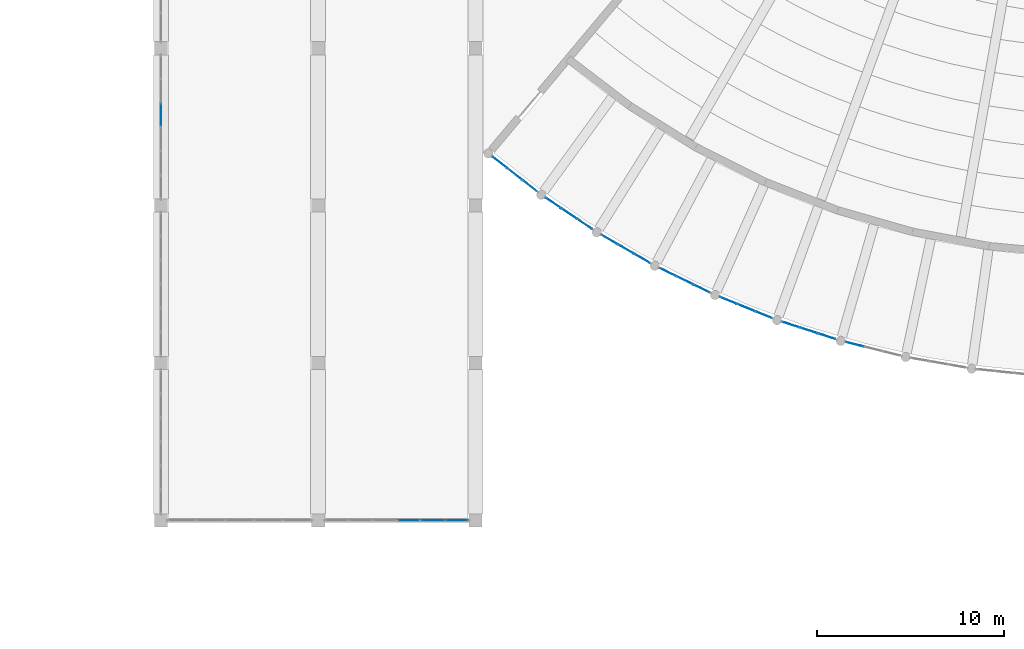
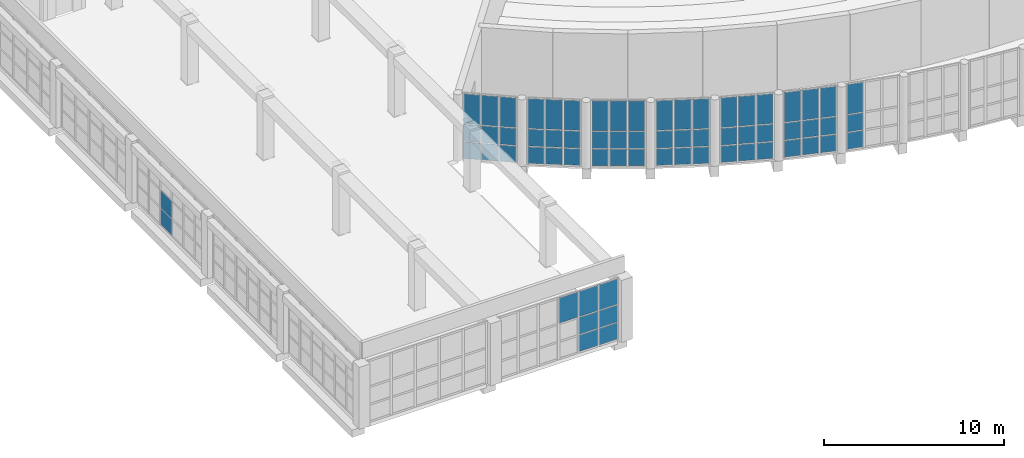
# One storey, part 68 of 162: 66 plates, 9 elements without a shape of their own.
"""IFC4 building model written with IfcOpenShell, lengths in metres."""

from ifc_helpers import new_model, si_unit, direction, frame, origin, origin_2d, place, context, subcontext, project, spatial, rectangle, extrude, material, layer, layer_set, type_object, element, aggregate, save


model = new_model("IFC4")

# Units and contexts
model_context = context("Model", 3, precision=1e-05, world=origin(), true_north=direction((0.0, 1.0)))
body_context = subcontext(model_context, "Body", "Model", "MODEL_VIEW")
ifc_project = project(units=[si_unit("LENGTHUNIT", "METRE"), si_unit("AREAUNIT", "SQUARE_METRE"), si_unit("VOLUMEUNIT", "CUBIC_METRE"), si_unit("PLANEANGLEUNIT", "RADIAN"), si_unit("MASSUNIT", "GRAM", prefix="KILO")], contexts=[model_context])

# Site, building, storey
site_placement = place(None, origin())
site = spatial("IfcSite", under=ifc_project, at=site_placement, CompositionType="ELEMENT")
building_placement = place(site_placement, origin())
building = spatial("IfcBuilding", under=site, at=building_placement, Name="Rain Tree Exposition and Congress Centre", CompositionType="ELEMENT")
storey_placement = place(building_placement, frame((0.0, 0.0, 6.0)))
storey = spatial("IfcBuildingStorey", under=building, at=storey_placement, Name="L01", CompositionType="ELEMENT", Elevation=6.0)

# Curtain wall, plates
ifc_material_1 = material(Name="Aluminium", Category="aluminium")
ifc_layer_1 = layer(ifc_material_1, 0.10009765625)
ifc_layer_set_1 = layer_set([ifc_layer_1], Name="Aluminium")
curtain_wall_type = type_object("IfcCurtainWallType", Name="Curtain wall congress", PredefinedType="NOTDEFINED", material=ifc_layer_set_1)
curtain_wall_1_placement = place(storey_placement, origin())
curtain_wall_1 = element("IfcCurtainWall", 1, at=curtain_wall_1_placement, inside=storey, type_object=curtain_wall_type, Name="Curtain wall L01 bay 1", PredefinedType="NOTDEFINED")
ifc_material_2 = material(Name="Double glazed unit", Category="glass")
ifc_layer_2 = layer(ifc_material_2, 0.028076171875)
ifc_layer_set_2 = layer_set([ifc_layer_2], Name="Double glazed unit")
plate_type = type_object("IfcPlateType", Name="Glazing panel 28 congress", PredefinedType="CURTAIN_PANEL", material=ifc_layer_set_2)
plate_1_placement = place(storey_placement, frame((169.3017578125, 27.5, 0.06005859375), z_axis=(0.0, 0.0, 1.0), x_axis=(0.788003164084, -0.615671189348, 0.0)))
plate_1 = element("IfcPlate", 2, at=plate_1_placement, type_object=plate_type, Name="CWG201 panel 1.1", PredefinedType="CURTAIN_PANEL", context=body_context, shape_type="SweptSolid", body=[
    extrude(rectangle(XDim=0.9345703125, YDim=0.028076171875, at=origin_2d()), origin(), (0.0, 0.0, 1.0), 1.110107421875),
])
plate_2_placement = place(storey_placement, frame((169.3017578125, 27.5, 1.22998046875), z_axis=(0.0, 0.0, 1.0), x_axis=(0.788003164084, -0.615671189348, 0.0)))
plate_2 = element("IfcPlate", 3, at=plate_2_placement, type_object=plate_type, Name="CWG201 panel 1.2", PredefinedType="CURTAIN_PANEL", context=body_context, shape_type="SweptSolid", body=[
    extrude(rectangle(XDim=0.9345703125, YDim=0.028076171875, at=origin_2d()), origin(), (0.0, 0.0, 1.0), 1.139892578125),
])
plate_3_placement = place(storey_placement, frame((169.3017578125, 27.5, 2.43017578125), z_axis=(0.0, 0.0, 1.0), x_axis=(0.788003164084, -0.615671189348, 0.0)))
plate_3 = element("IfcPlate", 4, at=plate_3_placement, type_object=plate_type, Name="CWG201 panel 1.3", PredefinedType="CURTAIN_PANEL", context=body_context, shape_type="SweptSolid", body=[
    extrude(rectangle(XDim=0.9345703125, YDim=0.028076171875, at=origin_2d()), origin(), (0.0, 0.0, 1.0), 2.010009765625),
])
plate_4_placement = place(storey_placement, frame((170.097412109375, 26.87841796875, 0.06005859375), z_axis=(0.0, 0.0, 1.0), x_axis=(0.788003164084, -0.615671189348, 0.0)))
plate_4 = element("IfcPlate", 5, at=plate_4_placement, type_object=plate_type, Name="CWG201 panel 2.1", PredefinedType="CURTAIN_PANEL", context=body_context, shape_type="SweptSolid", body=[
    extrude(rectangle(XDim=0.964599609375, YDim=0.028076171875, at=origin_2d()), origin(), (0.0, 0.0, 1.0), 1.110107421875),
])
plate_5_placement = place(storey_placement, frame((170.097412109375, 26.87841796875, 1.22998046875), z_axis=(0.0, 0.0, 1.0), x_axis=(0.788003164084, -0.615671189348, 0.0)))
plate_5 = element("IfcPlate", 6, at=plate_5_placement, type_object=plate_type, Name="CWG201 panel 2.2", PredefinedType="CURTAIN_PANEL", context=body_context, shape_type="SweptSolid", body=[
    extrude(rectangle(XDim=0.964599609375, YDim=0.028076171875, at=origin_2d()), origin(), (0.0, 0.0, 1.0), 1.139892578125),
])
plate_6_placement = place(storey_placement, frame((170.097412109375, 26.87841796875, 2.43017578125), z_axis=(0.0, 0.0, 1.0), x_axis=(0.788003164084, -0.615671189348, 0.0)))
plate_6 = element("IfcPlate", 7, at=plate_6_placement, type_object=plate_type, Name="CWG201 panel 2.3", PredefinedType="CURTAIN_PANEL", context=body_context, shape_type="SweptSolid", body=[
    extrude(rectangle(XDim=0.964599609375, YDim=0.028076171875, at=origin_2d()), origin(), (0.0, 0.0, 1.0), 2.010009765625),
])
plate_7_placement = place(storey_placement, frame((170.892822265625, 26.2568359375, 0.06005859375), z_axis=(0.0, 0.0, 1.0), x_axis=(0.788003164084, -0.615671189348, 0.0)))
plate_7 = element("IfcPlate", 8, at=plate_7_placement, type_object=plate_type, Name="CWG201 panel 3.1", PredefinedType="CURTAIN_PANEL", context=body_context, shape_type="SweptSolid", body=[
    extrude(rectangle(XDim=0.9345703125, YDim=0.028076171875, at=origin_2d()), origin(), (0.0, 0.0, 1.0), 1.110107421875),
])
plate_8_placement = place(storey_placement, frame((170.892822265625, 26.2568359375, 1.22998046875), z_axis=(0.0, 0.0, 1.0), x_axis=(0.788003164084, -0.615671189348, 0.0)))
plate_8 = element("IfcPlate", 9, at=plate_8_placement, type_object=plate_type, Name="CWG201 panel 3.2", PredefinedType="CURTAIN_PANEL", context=body_context, shape_type="SweptSolid", body=[
    extrude(rectangle(XDim=0.9345703125, YDim=0.028076171875, at=origin_2d()), origin(), (0.0, 0.0, 1.0), 1.139892578125),
])
plate_9_placement = place(storey_placement, frame((170.892822265625, 26.2568359375, 2.43017578125), z_axis=(0.0, 0.0, 1.0), x_axis=(0.788003164084, -0.615671189348, 0.0)))
plate_9 = element("IfcPlate", 10, at=plate_9_placement, type_object=plate_type, Name="CWG201 panel 3.3", PredefinedType="CURTAIN_PANEL", context=body_context, shape_type="SweptSolid", body=[
    extrude(rectangle(XDim=0.9345703125, YDim=0.028076171875, at=origin_2d()), origin(), (0.0, 0.0, 1.0), 2.010009765625),
])
aggregate(curtain_wall_1, [plate_1, plate_2, plate_3, plate_4, plate_5, plate_6, plate_7, plate_8, plate_9])

curtain_wall_2_placement = place(storey_placement, origin())
curtain_wall_2 = element("IfcCurtainWall", 11, at=curtain_wall_2_placement, inside=storey, type_object=curtain_wall_type, Name="Curtain wall L01 bay 2", PredefinedType="NOTDEFINED")
plate_10_placement = place(storey_placement, frame((172.14990234375, 25.34375, 0.06005859375), z_axis=(0.0, 0.0, 1.0), x_axis=(0.829034948577, -0.559196793659, 0.0)))
plate_10 = element("IfcPlate", 12, at=plate_10_placement, type_object=plate_type, Name="CWG202 panel 1.1", PredefinedType="CURTAIN_PANEL", context=body_context, shape_type="SweptSolid", body=[
    extrude(rectangle(XDim=0.9345703125, YDim=0.028076171875, at=origin_2d()), origin(), (0.0, 0.0, 1.0), 1.110107421875),
])
plate_11_placement = place(storey_placement, frame((172.14990234375, 25.34375, 1.22998046875), z_axis=(0.0, 0.0, 1.0), x_axis=(0.829034948577, -0.559196793659, 0.0)))
plate_11 = element("IfcPlate", 13, at=plate_11_placement, type_object=plate_type, Name="CWG202 panel 1.2", PredefinedType="CURTAIN_PANEL", context=body_context, shape_type="SweptSolid", body=[
    extrude(rectangle(XDim=0.9345703125, YDim=0.028076171875, at=origin_2d()), origin(), (0.0, 0.0, 1.0), 1.139892578125),
])
plate_12_placement = place(storey_placement, frame((172.14990234375, 25.34375, 2.43017578125), z_axis=(0.0, 0.0, 1.0), x_axis=(0.829034948577, -0.559196793659, 0.0)))
plate_12 = element("IfcPlate", 14, at=plate_12_placement, type_object=plate_type, Name="CWG202 panel 1.3", PredefinedType="CURTAIN_PANEL", context=body_context, shape_type="SweptSolid", body=[
    extrude(rectangle(XDim=0.9345703125, YDim=0.028076171875, at=origin_2d()), origin(), (0.0, 0.0, 1.0), 2.010009765625),
])
plate_13_placement = place(storey_placement, frame((172.98681640625, 24.779052734375, 0.06005859375), z_axis=(0.0, 0.0, 1.0), x_axis=(0.829034948577, -0.559196793659, 0.0)))
plate_13 = element("IfcPlate", 15, at=plate_13_placement, type_object=plate_type, Name="CWG202 panel 2.1", PredefinedType="CURTAIN_PANEL", context=body_context, shape_type="SweptSolid", body=[
    extrude(rectangle(XDim=0.964599609375, YDim=0.028076171875, at=origin_2d()), origin(), (0.0, 0.0, 1.0), 1.110107421875),
])
plate_14_placement = place(storey_placement, frame((172.98681640625, 24.779052734375, 1.22998046875), z_axis=(0.0, 0.0, 1.0), x_axis=(0.829034948577, -0.559196793659, 0.0)))
plate_14 = element("IfcPlate", 16, at=plate_14_placement, type_object=plate_type, Name="CWG202 panel 2.2", PredefinedType="CURTAIN_PANEL", context=body_context, shape_type="SweptSolid", body=[
    extrude(rectangle(XDim=0.964599609375, YDim=0.028076171875, at=origin_2d()), origin(), (0.0, 0.0, 1.0), 1.139892578125),
])
plate_15_placement = place(storey_placement, frame((172.98681640625, 24.779052734375, 2.43017578125), z_axis=(0.0, 0.0, 1.0), x_axis=(0.829034948577, -0.559196793659, 0.0)))
plate_15 = element("IfcPlate", 17, at=plate_15_placement, type_object=plate_type, Name="CWG202 panel 2.3", PredefinedType="CURTAIN_PANEL", context=body_context, shape_type="SweptSolid", body=[
    extrude(rectangle(XDim=0.964599609375, YDim=0.028076171875, at=origin_2d()), origin(), (0.0, 0.0, 1.0), 2.010009765625),
])
plate_16_placement = place(storey_placement, frame((173.82373046875, 24.214599609375, 0.06005859375), z_axis=(0.0, 0.0, 1.0), x_axis=(0.829034948577, -0.559196793659, 0.0)))
plate_16 = element("IfcPlate", 18, at=plate_16_placement, type_object=plate_type, Name="CWG202 panel 3.1", PredefinedType="CURTAIN_PANEL", context=body_context, shape_type="SweptSolid", body=[
    extrude(rectangle(XDim=0.9345703125, YDim=0.028076171875, at=origin_2d()), origin(), (0.0, 0.0, 1.0), 1.110107421875),
])
plate_17_placement = place(storey_placement, frame((173.82373046875, 24.214599609375, 1.22998046875), z_axis=(0.0, 0.0, 1.0), x_axis=(0.829034948577, -0.559196793659, 0.0)))
plate_17 = element("IfcPlate", 19, at=plate_17_placement, type_object=plate_type, Name="CWG202 panel 3.2", PredefinedType="CURTAIN_PANEL", context=body_context, shape_type="SweptSolid", body=[
    extrude(rectangle(XDim=0.9345703125, YDim=0.028076171875, at=origin_2d()), origin(), (0.0, 0.0, 1.0), 1.139892578125),
])
plate_18_placement = place(storey_placement, frame((173.82373046875, 24.214599609375, 2.43017578125), z_axis=(0.0, 0.0, 1.0), x_axis=(0.829034948577, -0.559196793659, 0.0)))
plate_18 = element("IfcPlate", 20, at=plate_18_placement, type_object=plate_type, Name="CWG202 panel 3.3", PredefinedType="CURTAIN_PANEL", context=body_context, shape_type="SweptSolid", body=[
    extrude(rectangle(XDim=0.9345703125, YDim=0.028076171875, at=origin_2d()), origin(), (0.0, 0.0, 1.0), 2.010009765625),
])
aggregate(curtain_wall_2, [plate_10, plate_11, plate_12, plate_13, plate_14, plate_15, plate_16, plate_17, plate_18])

curtain_wall_3_placement = place(storey_placement, origin())
curtain_wall_3 = element("IfcCurtainWall", 21, at=curtain_wall_3_placement, inside=storey, type_object=curtain_wall_type, Name="Curtain wall L01 bay 3", PredefinedType="NOTDEFINED")
plate_19_placement = place(storey_placement, frame((175.141357421875, 23.391357421875, 0.06005859375), z_axis=(0.0, 0.0, 1.0), x_axis=(0.866032261861, -0.499988121275, 0.0)))
plate_19 = element("IfcPlate", 22, at=plate_19_placement, type_object=plate_type, Name="CWG203 panel 1.1", PredefinedType="CURTAIN_PANEL", context=body_context, shape_type="SweptSolid", body=[
    extrude(rectangle(XDim=0.9345703125, YDim=0.028076171875, at=origin_2d()), origin(), (0.0, 0.0, 1.0), 1.110107421875),
])
plate_20_placement = place(storey_placement, frame((175.141357421875, 23.391357421875, 1.22998046875), z_axis=(0.0, 0.0, 1.0), x_axis=(0.866032261861, -0.499988121275, 0.0)))
plate_20 = element("IfcPlate", 23, at=plate_20_placement, type_object=plate_type, Name="CWG203 panel 1.2", PredefinedType="CURTAIN_PANEL", context=body_context, shape_type="SweptSolid", body=[
    extrude(rectangle(XDim=0.9345703125, YDim=0.028076171875, at=origin_2d()), origin(), (0.0, 0.0, 1.0), 1.139892578125),
])
plate_21_placement = place(storey_placement, frame((175.141357421875, 23.391357421875, 2.43017578125), z_axis=(0.0, 0.0, 1.0), x_axis=(0.866032261861, -0.499988121275, 0.0)))
plate_21 = element("IfcPlate", 24, at=plate_21_placement, type_object=plate_type, Name="CWG203 panel 1.3", PredefinedType="CURTAIN_PANEL", context=body_context, shape_type="SweptSolid", body=[
    extrude(rectangle(XDim=0.9345703125, YDim=0.028076171875, at=origin_2d()), origin(), (0.0, 0.0, 1.0), 2.010009765625),
])
plate_22_placement = place(storey_placement, frame((176.015625, 22.886474609375, 0.06005859375), z_axis=(0.0, 0.0, 1.0), x_axis=(0.866032261861, -0.499988121275, 0.0)))
plate_22 = element("IfcPlate", 25, at=plate_22_placement, type_object=plate_type, Name="CWG203 panel 2.1", PredefinedType="CURTAIN_PANEL", context=body_context, shape_type="SweptSolid", body=[
    extrude(rectangle(XDim=0.964599609375, YDim=0.028076171875, at=origin_2d()), origin(), (0.0, 0.0, 1.0), 1.110107421875),
])
plate_23_placement = place(storey_placement, frame((176.015625, 22.886474609375, 1.22998046875), z_axis=(0.0, 0.0, 1.0), x_axis=(0.866032261861, -0.499988121275, 0.0)))
plate_23 = element("IfcPlate", 26, at=plate_23_placement, type_object=plate_type, Name="CWG203 panel 2.2", PredefinedType="CURTAIN_PANEL", context=body_context, shape_type="SweptSolid", body=[
    extrude(rectangle(XDim=0.964599609375, YDim=0.028076171875, at=origin_2d()), origin(), (0.0, 0.0, 1.0), 1.139892578125),
])
plate_24_placement = place(storey_placement, frame((176.015625, 22.886474609375, 2.43017578125), z_axis=(0.0, 0.0, 1.0), x_axis=(0.866032261861, -0.499988121275, 0.0)))
plate_24 = element("IfcPlate", 27, at=plate_24_placement, type_object=plate_type, Name="CWG203 panel 2.3", PredefinedType="CURTAIN_PANEL", context=body_context, shape_type="SweptSolid", body=[
    extrude(rectangle(XDim=0.964599609375, YDim=0.028076171875, at=origin_2d()), origin(), (0.0, 0.0, 1.0), 2.010009765625),
])
plate_25_placement = place(storey_placement, frame((176.889892578125, 22.3818359375, 0.06005859375), z_axis=(0.0, 0.0, 1.0), x_axis=(0.866032261861, -0.499988121275, 0.0)))
plate_25 = element("IfcPlate", 28, at=plate_25_placement, type_object=plate_type, Name="CWG203 panel 3.1", PredefinedType="CURTAIN_PANEL", context=body_context, shape_type="SweptSolid", body=[
    extrude(rectangle(XDim=0.9345703125, YDim=0.028076171875, at=origin_2d()), origin(), (0.0, 0.0, 1.0), 1.110107421875),
])
plate_26_placement = place(storey_placement, frame((176.889892578125, 22.3818359375, 1.22998046875), z_axis=(0.0, 0.0, 1.0), x_axis=(0.866032261861, -0.499988121275, 0.0)))
plate_26 = element("IfcPlate", 29, at=plate_26_placement, type_object=plate_type, Name="CWG203 panel 3.2", PredefinedType="CURTAIN_PANEL", context=body_context, shape_type="SweptSolid", body=[
    extrude(rectangle(XDim=0.9345703125, YDim=0.028076171875, at=origin_2d()), origin(), (0.0, 0.0, 1.0), 1.139892578125),
])
plate_27_placement = place(storey_placement, frame((176.889892578125, 22.3818359375, 2.43017578125), z_axis=(0.0, 0.0, 1.0), x_axis=(0.866032261861, -0.499988121275, 0.0)))
plate_27 = element("IfcPlate", 30, at=plate_27_placement, type_object=plate_type, Name="CWG203 panel 3.3", PredefinedType="CURTAIN_PANEL", context=body_context, shape_type="SweptSolid", body=[
    extrude(rectangle(XDim=0.9345703125, YDim=0.028076171875, at=origin_2d()), origin(), (0.0, 0.0, 1.0), 2.010009765625),
])
aggregate(curtain_wall_3, [plate_19, plate_20, plate_21, plate_22, plate_23, plate_24, plate_25, plate_26, plate_27])

curtain_wall_4_placement = place(storey_placement, origin())
curtain_wall_4 = element("IfcCurtainWall", 31, at=curtain_wall_4_placement, inside=storey, type_object=curtain_wall_type, Name="Curtain wall L01 bay 4", PredefinedType="NOTDEFINED")
plate_28_placement = place(storey_placement, frame((178.26171875, 21.65234375, 0.06005859375), z_axis=(0.0, 0.0, 1.0), x_axis=(0.898795334475, -0.438368505628, 0.0)))
plate_28 = element("IfcPlate", 32, at=plate_28_placement, type_object=plate_type, Name="CWG204 panel 1.1", PredefinedType="CURTAIN_PANEL", context=body_context, shape_type="SweptSolid", body=[
    extrude(rectangle(XDim=0.9345703125, YDim=0.028076171875, at=origin_2d()), origin(), (0.0, 0.0, 1.0), 1.110107421875),
])
plate_29_placement = place(storey_placement, frame((178.26171875, 21.65234375, 1.22998046875), z_axis=(0.0, 0.0, 1.0), x_axis=(0.898795334475, -0.438368505628, 0.0)))
plate_29 = element("IfcPlate", 33, at=plate_29_placement, type_object=plate_type, Name="CWG204 panel 1.2", PredefinedType="CURTAIN_PANEL", context=body_context, shape_type="SweptSolid", body=[
    extrude(rectangle(XDim=0.9345703125, YDim=0.028076171875, at=origin_2d()), origin(), (0.0, 0.0, 1.0), 1.139892578125),
])
plate_30_placement = place(storey_placement, frame((178.26171875, 21.65234375, 2.43017578125), z_axis=(0.0, 0.0, 1.0), x_axis=(0.898795334475, -0.438368505628, 0.0)))
plate_30 = element("IfcPlate", 34, at=plate_30_placement, type_object=plate_type, Name="CWG204 panel 1.3", PredefinedType="CURTAIN_PANEL", context=body_context, shape_type="SweptSolid", body=[
    extrude(rectangle(XDim=0.9345703125, YDim=0.028076171875, at=origin_2d()), origin(), (0.0, 0.0, 1.0), 2.010009765625),
])
plate_31_placement = place(storey_placement, frame((179.169189453125, 21.209716796875, 0.06005859375), z_axis=(0.0, 0.0, 1.0), x_axis=(0.898795334475, -0.438368505628, 0.0)))
plate_31 = element("IfcPlate", 35, at=plate_31_placement, type_object=plate_type, Name="CWG204 panel 2.1", PredefinedType="CURTAIN_PANEL", context=body_context, shape_type="SweptSolid", body=[
    extrude(rectangle(XDim=0.964599609375, YDim=0.028076171875, at=origin_2d()), origin(), (0.0, 0.0, 1.0), 1.110107421875),
])
plate_32_placement = place(storey_placement, frame((179.169189453125, 21.209716796875, 1.22998046875), z_axis=(0.0, 0.0, 1.0), x_axis=(0.898795334475, -0.438368505628, 0.0)))
plate_32 = element("IfcPlate", 36, at=plate_32_placement, type_object=plate_type, Name="CWG204 panel 2.2", PredefinedType="CURTAIN_PANEL", context=body_context, shape_type="SweptSolid", body=[
    extrude(rectangle(XDim=0.964599609375, YDim=0.028076171875, at=origin_2d()), origin(), (0.0, 0.0, 1.0), 1.139892578125),
])
plate_33_placement = place(storey_placement, frame((179.169189453125, 21.209716796875, 2.43017578125), z_axis=(0.0, 0.0, 1.0), x_axis=(0.898795334475, -0.438368505628, 0.0)))
plate_33 = element("IfcPlate", 37, at=plate_33_placement, type_object=plate_type, Name="CWG204 panel 2.3", PredefinedType="CURTAIN_PANEL", context=body_context, shape_type="SweptSolid", body=[
    extrude(rectangle(XDim=0.964599609375, YDim=0.028076171875, at=origin_2d()), origin(), (0.0, 0.0, 1.0), 2.010009765625),
])
plate_34_placement = place(storey_placement, frame((180.076416015625, 20.767333984375, 0.06005859375), z_axis=(0.0, 0.0, 1.0), x_axis=(0.898795334475, -0.438368505628, 0.0)))
plate_34 = element("IfcPlate", 38, at=plate_34_placement, type_object=plate_type, Name="CWG204 panel 3.1", PredefinedType="CURTAIN_PANEL", context=body_context, shape_type="SweptSolid", body=[
    extrude(rectangle(XDim=0.9345703125, YDim=0.028076171875, at=origin_2d()), origin(), (0.0, 0.0, 1.0), 1.110107421875),
])
plate_35_placement = place(storey_placement, frame((180.076416015625, 20.767333984375, 1.22998046875), z_axis=(0.0, 0.0, 1.0), x_axis=(0.898795334475, -0.438368505628, 0.0)))
plate_35 = element("IfcPlate", 39, at=plate_35_placement, type_object=plate_type, Name="CWG204 panel 3.2", PredefinedType="CURTAIN_PANEL", context=body_context, shape_type="SweptSolid", body=[
    extrude(rectangle(XDim=0.9345703125, YDim=0.028076171875, at=origin_2d()), origin(), (0.0, 0.0, 1.0), 1.139892578125),
])
plate_36_placement = place(storey_placement, frame((180.076416015625, 20.767333984375, 2.43017578125), z_axis=(0.0, 0.0, 1.0), x_axis=(0.898795334475, -0.438368505628, 0.0)))
plate_36 = element("IfcPlate", 40, at=plate_36_placement, type_object=plate_type, Name="CWG204 panel 3.3", PredefinedType="CURTAIN_PANEL", context=body_context, shape_type="SweptSolid", body=[
    extrude(rectangle(XDim=0.9345703125, YDim=0.028076171875, at=origin_2d()), origin(), (0.0, 0.0, 1.0), 2.010009765625),
])
aggregate(curtain_wall_4, [plate_28, plate_29, plate_30, plate_31, plate_32, plate_33, plate_34, plate_35, plate_36])

curtain_wall_5_placement = place(storey_placement, origin())
curtain_wall_5 = element("IfcCurtainWall", 41, at=curtain_wall_5_placement, inside=storey, type_object=curtain_wall_type, Name="Curtain wall L01 bay 5", PredefinedType="NOTDEFINED")
plate_37_placement = place(storey_placement, frame((181.495849609375, 20.13525390625, 0.06005859375), z_axis=(0.0, 0.0, 1.0), x_axis=(0.92718773506, -0.374596988714, 0.0)))
plate_37 = element("IfcPlate", 42, at=plate_37_placement, type_object=plate_type, Name="CWG205 panel 1.1", PredefinedType="CURTAIN_PANEL", context=body_context, shape_type="SweptSolid", body=[
    extrude(rectangle(XDim=0.9345703125, YDim=0.028076171875, at=origin_2d()), origin(), (0.0, 0.0, 1.0), 1.110107421875),
])
plate_38_placement = place(storey_placement, frame((181.495849609375, 20.13525390625, 1.22998046875), z_axis=(0.0, 0.0, 1.0), x_axis=(0.92718773506, -0.374596988714, 0.0)))
plate_38 = element("IfcPlate", 43, at=plate_38_placement, type_object=plate_type, Name="CWG205 panel 1.2", PredefinedType="CURTAIN_PANEL", context=body_context, shape_type="SweptSolid", body=[
    extrude(rectangle(XDim=0.9345703125, YDim=0.028076171875, at=origin_2d()), origin(), (0.0, 0.0, 1.0), 1.139892578125),
])
plate_39_placement = place(storey_placement, frame((181.495849609375, 20.13525390625, 2.43017578125), z_axis=(0.0, 0.0, 1.0), x_axis=(0.92718773506, -0.374596988714, 0.0)))
plate_39 = element("IfcPlate", 44, at=plate_39_placement, type_object=plate_type, Name="CWG205 panel 1.3", PredefinedType="CURTAIN_PANEL", context=body_context, shape_type="SweptSolid", body=[
    extrude(rectangle(XDim=0.9345703125, YDim=0.028076171875, at=origin_2d()), origin(), (0.0, 0.0, 1.0), 2.010009765625),
])
plate_40_placement = place(storey_placement, frame((182.431884765625, 19.757080078125, 0.06005859375), z_axis=(0.0, 0.0, 1.0), x_axis=(0.92718773506, -0.374596988714, 0.0)))
plate_40 = element("IfcPlate", 45, at=plate_40_placement, type_object=plate_type, Name="CWG205 panel 2.1", PredefinedType="CURTAIN_PANEL", context=body_context, shape_type="SweptSolid", body=[
    extrude(rectangle(XDim=0.964599609375, YDim=0.028076171875, at=origin_2d()), origin(), (0.0, 0.0, 1.0), 1.110107421875),
])
plate_41_placement = place(storey_placement, frame((182.431884765625, 19.757080078125, 1.22998046875), z_axis=(0.0, 0.0, 1.0), x_axis=(0.92718773506, -0.374596988714, 0.0)))
plate_41 = element("IfcPlate", 46, at=plate_41_placement, type_object=plate_type, Name="CWG205 panel 2.2", PredefinedType="CURTAIN_PANEL", context=body_context, shape_type="SweptSolid", body=[
    extrude(rectangle(XDim=0.964599609375, YDim=0.028076171875, at=origin_2d()), origin(), (0.0, 0.0, 1.0), 1.139892578125),
])
plate_42_placement = place(storey_placement, frame((182.431884765625, 19.757080078125, 2.43017578125), z_axis=(0.0, 0.0, 1.0), x_axis=(0.92718773506, -0.374596988714, 0.0)))
plate_42 = element("IfcPlate", 47, at=plate_42_placement, type_object=plate_type, Name="CWG205 panel 2.3", PredefinedType="CURTAIN_PANEL", context=body_context, shape_type="SweptSolid", body=[
    extrude(rectangle(XDim=0.964599609375, YDim=0.028076171875, at=origin_2d()), origin(), (0.0, 0.0, 1.0), 2.010009765625),
])
plate_43_placement = place(storey_placement, frame((183.367919921875, 19.37890625, 0.06005859375), z_axis=(0.0, 0.0, 1.0), x_axis=(0.92718773506, -0.374596988714, 0.0)))
plate_43 = element("IfcPlate", 48, at=plate_43_placement, type_object=plate_type, Name="CWG205 panel 3.1", PredefinedType="CURTAIN_PANEL", context=body_context, shape_type="SweptSolid", body=[
    extrude(rectangle(XDim=0.9345703125, YDim=0.028076171875, at=origin_2d()), origin(), (0.0, 0.0, 1.0), 1.110107421875),
])
plate_44_placement = place(storey_placement, frame((183.367919921875, 19.37890625, 1.22998046875), z_axis=(0.0, 0.0, 1.0), x_axis=(0.92718773506, -0.374596988714, 0.0)))
plate_44 = element("IfcPlate", 49, at=plate_44_placement, type_object=plate_type, Name="CWG205 panel 3.2", PredefinedType="CURTAIN_PANEL", context=body_context, shape_type="SweptSolid", body=[
    extrude(rectangle(XDim=0.9345703125, YDim=0.028076171875, at=origin_2d()), origin(), (0.0, 0.0, 1.0), 1.139892578125),
])
plate_45_placement = place(storey_placement, frame((183.367919921875, 19.37890625, 2.43017578125), z_axis=(0.0, 0.0, 1.0), x_axis=(0.92718773506, -0.374596988714, 0.0)))
plate_45 = element("IfcPlate", 50, at=plate_45_placement, type_object=plate_type, Name="CWG205 panel 3.3", PredefinedType="CURTAIN_PANEL", context=body_context, shape_type="SweptSolid", body=[
    extrude(rectangle(XDim=0.9345703125, YDim=0.028076171875, at=origin_2d()), origin(), (0.0, 0.0, 1.0), 2.010009765625),
])
aggregate(curtain_wall_5, [plate_37, plate_38, plate_39, plate_40, plate_41, plate_42, plate_43, plate_44, plate_45])

curtain_wall_6_placement = place(storey_placement, origin())
curtain_wall_6 = element("IfcCurtainWall", 51, at=curtain_wall_6_placement, inside=storey, type_object=curtain_wall_type, Name="Curtain wall L01 bay 6", PredefinedType="NOTDEFINED")
plate_46_placement = place(storey_placement, frame((184.827880859375, 18.84765625, 0.06005859375), z_axis=(0.0, 0.0, 1.0), x_axis=(0.95106012548, -0.309005886225, 0.0)))
plate_46 = element("IfcPlate", 52, at=plate_46_placement, type_object=plate_type, Name="CWG206 panel 1.1", PredefinedType="CURTAIN_PANEL", context=body_context, shape_type="SweptSolid", body=[
    extrude(rectangle(XDim=0.9345703125, YDim=0.028076171875, at=origin_2d()), origin(), (0.0, 0.0, 1.0), 1.110107421875),
])
plate_47_placement = place(storey_placement, frame((184.827880859375, 18.84765625, 1.22998046875), z_axis=(0.0, 0.0, 1.0), x_axis=(0.95106012548, -0.309005886225, 0.0)))
plate_47 = element("IfcPlate", 53, at=plate_47_placement, type_object=plate_type, Name="CWG206 panel 1.2", PredefinedType="CURTAIN_PANEL", context=body_context, shape_type="SweptSolid", body=[
    extrude(rectangle(XDim=0.9345703125, YDim=0.028076171875, at=origin_2d()), origin(), (0.0, 0.0, 1.0), 1.139892578125),
])
plate_48_placement = place(storey_placement, frame((184.827880859375, 18.84765625, 2.43017578125), z_axis=(0.0, 0.0, 1.0), x_axis=(0.95106012548, -0.309005886225, 0.0)))
plate_48 = element("IfcPlate", 54, at=plate_48_placement, type_object=plate_type, Name="CWG206 panel 1.3", PredefinedType="CURTAIN_PANEL", context=body_context, shape_type="SweptSolid", body=[
    extrude(rectangle(XDim=0.9345703125, YDim=0.028076171875, at=origin_2d()), origin(), (0.0, 0.0, 1.0), 2.010009765625),
])
plate_49_placement = place(storey_placement, frame((185.787841796875, 18.53564453125, 0.06005859375), z_axis=(0.0, 0.0, 1.0), x_axis=(0.95106012548, -0.309005886225, 0.0)))
plate_49 = element("IfcPlate", 55, at=plate_49_placement, type_object=plate_type, Name="CWG206 panel 2.1", PredefinedType="CURTAIN_PANEL", context=body_context, shape_type="SweptSolid", body=[
    extrude(rectangle(XDim=0.964599609375, YDim=0.028076171875, at=origin_2d()), origin(), (0.0, 0.0, 1.0), 1.110107421875),
])
plate_50_placement = place(storey_placement, frame((185.787841796875, 18.53564453125, 1.22998046875), z_axis=(0.0, 0.0, 1.0), x_axis=(0.95106012548, -0.309005886225, 0.0)))
plate_50 = element("IfcPlate", 56, at=plate_50_placement, type_object=plate_type, Name="CWG206 panel 2.2", PredefinedType="CURTAIN_PANEL", context=body_context, shape_type="SweptSolid", body=[
    extrude(rectangle(XDim=0.964599609375, YDim=0.028076171875, at=origin_2d()), origin(), (0.0, 0.0, 1.0), 1.139892578125),
])
plate_51_placement = place(storey_placement, frame((185.787841796875, 18.53564453125, 2.43017578125), z_axis=(0.0, 0.0, 1.0), x_axis=(0.95106012548, -0.309005886225, 0.0)))
plate_51 = element("IfcPlate", 57, at=plate_51_placement, type_object=plate_type, Name="CWG206 panel 2.3", PredefinedType="CURTAIN_PANEL", context=body_context, shape_type="SweptSolid", body=[
    extrude(rectangle(XDim=0.964599609375, YDim=0.028076171875, at=origin_2d()), origin(), (0.0, 0.0, 1.0), 2.010009765625),
])
plate_52_placement = place(storey_placement, frame((186.748046875, 18.2236328125, 0.06005859375), z_axis=(0.0, 0.0, 1.0), x_axis=(0.95106012548, -0.309005886225, 0.0)))
plate_52 = element("IfcPlate", 58, at=plate_52_placement, type_object=plate_type, Name="CWG206 panel 3.1", PredefinedType="CURTAIN_PANEL", context=body_context, shape_type="SweptSolid", body=[
    extrude(rectangle(XDim=0.9345703125, YDim=0.028076171875, at=origin_2d()), origin(), (0.0, 0.0, 1.0), 1.110107421875),
])
plate_53_placement = place(storey_placement, frame((186.748046875, 18.2236328125, 1.22998046875), z_axis=(0.0, 0.0, 1.0), x_axis=(0.95106012548, -0.309005886225, 0.0)))
plate_53 = element("IfcPlate", 59, at=plate_53_placement, type_object=plate_type, Name="CWG206 panel 3.2", PredefinedType="CURTAIN_PANEL", context=body_context, shape_type="SweptSolid", body=[
    extrude(rectangle(XDim=0.9345703125, YDim=0.028076171875, at=origin_2d()), origin(), (0.0, 0.0, 1.0), 1.139892578125),
])
plate_54_placement = place(storey_placement, frame((186.748046875, 18.2236328125, 2.43017578125), z_axis=(0.0, 0.0, 1.0), x_axis=(0.95106012548, -0.309005886225, 0.0)))
plate_54 = element("IfcPlate", 60, at=plate_54_placement, type_object=plate_type, Name="CWG206 panel 3.3", PredefinedType="CURTAIN_PANEL", context=body_context, shape_type="SweptSolid", body=[
    extrude(rectangle(XDim=0.9345703125, YDim=0.028076171875, at=origin_2d()), origin(), (0.0, 0.0, 1.0), 2.010009765625),
])
aggregate(curtain_wall_6, [plate_46, plate_47, plate_48, plate_49, plate_50, plate_51, plate_52, plate_53, plate_54])

curtain_wall_7_placement = place(storey_placement, origin())
curtain_wall_7 = element("IfcCurtainWall", 61, at=curtain_wall_7_placement, inside=storey, type_object=curtain_wall_type, Name="Curtain wall L01 bay 7", PredefinedType="NOTDEFINED")
plate_55_placement = place(storey_placement, frame((188.241455078125, 17.79541015625, 0.06005859375), z_axis=(0.0, 0.0, 1.0), x_axis=(0.970295408249, -0.241923171133, 0.0)))
plate_55 = element("IfcPlate", 62, at=plate_55_placement, type_object=plate_type, Name="CWG207 panel 1.1", PredefinedType="CURTAIN_PANEL", context=body_context, shape_type="SweptSolid", body=[
    extrude(rectangle(XDim=0.9345703125, YDim=0.028076171875, at=origin_2d()), origin(), (0.0, 0.0, 1.0), 1.110107421875),
])
plate_56_placement = place(storey_placement, frame((188.241455078125, 17.79541015625, 1.22998046875), z_axis=(0.0, 0.0, 1.0), x_axis=(0.970295408249, -0.241923171133, 0.0)))
plate_56 = element("IfcPlate", 63, at=plate_56_placement, type_object=plate_type, Name="CWG207 panel 1.2", PredefinedType="CURTAIN_PANEL", context=body_context, shape_type="SweptSolid", body=[
    extrude(rectangle(XDim=0.9345703125, YDim=0.028076171875, at=origin_2d()), origin(), (0.0, 0.0, 1.0), 1.139892578125),
])
plate_57_placement = place(storey_placement, frame((188.241455078125, 17.79541015625, 2.43017578125), z_axis=(0.0, 0.0, 1.0), x_axis=(0.970295408249, -0.241923171133, 0.0)))
plate_57 = element("IfcPlate", 64, at=plate_57_placement, type_object=plate_type, Name="CWG207 panel 1.3", PredefinedType="CURTAIN_PANEL", context=body_context, shape_type="SweptSolid", body=[
    extrude(rectangle(XDim=0.9345703125, YDim=0.028076171875, at=origin_2d()), origin(), (0.0, 0.0, 1.0), 2.010009765625),
])
aggregate(curtain_wall_7, [plate_55, plate_56, plate_57])

curtain_wall_8_placement = place(storey_placement, origin())
curtain_wall_8 = element("IfcCurtainWall", 65, at=curtain_wall_8_placement, inside=storey, type_object=curtain_wall_type, Name="Foyer curtain wall L01 bay 3", PredefinedType="NOTDEFINED")
plate_58_placement = place(storey_placement, frame((151.199951171875, 30.041748046875, 0.06005859375), z_axis=(0.0, 0.0, 1.0), x_axis=(0.0, 1.0, 0.0)))
plate_58 = element("IfcPlate", 66, at=plate_58_placement, type_object=plate_type, Name="CWG403 panel 4.1", PredefinedType="CURTAIN_PANEL", context=body_context, shape_type="SweptSolid", body=[
    extrude(rectangle(XDim=1.223388671875, YDim=0.028076171875, at=origin_2d()), origin(), (0.0, 0.0, 1.0), 1.110107421875),
])
plate_59_placement = place(storey_placement, frame((151.199951171875, 30.041748046875, 1.22998046875), z_axis=(0.0, 0.0, 1.0), x_axis=(0.0, 1.0, 0.0)))
plate_59 = element("IfcPlate", 67, at=plate_59_placement, type_object=plate_type, Name="CWG403 panel 4.2", PredefinedType="CURTAIN_PANEL", context=body_context, shape_type="SweptSolid", body=[
    extrude(rectangle(XDim=1.223388671875, YDim=0.028076171875, at=origin_2d()), origin(), (0.0, 0.0, 1.0), 1.139892578125),
])
aggregate(curtain_wall_8, [plate_58, plate_59])

curtain_wall_9_placement = place(storey_placement, origin())
curtain_wall_9 = element("IfcCurtainWall", 68, at=curtain_wall_9_placement, inside=storey, type_object=curtain_wall_type, Name="Foyer south curtain wall L01 bay 2", PredefinedType="NOTDEFINED")
plate_60_placement = place(storey_placement, frame((164.441650390625, 8.39990234375, 2.429931640625), z_axis=(0.0, 0.0, 1.0), x_axis=(1.0, 0.0, 0.0)))
plate_60 = element("IfcPlate", 69, at=plate_60_placement, type_object=plate_type, Name="CWG602 panel 4.3", PredefinedType="CURTAIN_PANEL", context=body_context, shape_type="SweptSolid", body=[
    extrude(rectangle(XDim=1.223388671875, YDim=0.028076171875, at=origin_2d()), origin(), (0.0, 0.0, 1.0), 1.7099609375),
])
plate_61_placement = place(storey_placement, frame((165.72509765625, 8.39990234375, 0.06005859375), z_axis=(0.0, 0.0, 1.0), x_axis=(1.0, 0.0, 0.0)))
plate_61 = element("IfcPlate", 70, at=plate_61_placement, type_object=plate_type, Name="CWG602 panel 5.1", PredefinedType="CURTAIN_PANEL", context=body_context, shape_type="SweptSolid", body=[
    extrude(rectangle(XDim=1.223388671875, YDim=0.028076171875, at=origin_2d()), origin(), (0.0, 0.0, 1.0), 1.110107421875),
])
plate_62_placement = place(storey_placement, frame((165.72509765625, 8.39990234375, 1.22998046875), z_axis=(0.0, 0.0, 1.0), x_axis=(1.0, 0.0, 0.0)))
plate_62 = element("IfcPlate", 71, at=plate_62_placement, type_object=plate_type, Name="CWG602 panel 5.2", PredefinedType="CURTAIN_PANEL", context=body_context, shape_type="SweptSolid", body=[
    extrude(rectangle(XDim=1.223388671875, YDim=0.028076171875, at=origin_2d()), origin(), (0.0, 0.0, 1.0), 1.139892578125),
])
plate_63_placement = place(storey_placement, frame((165.72509765625, 8.39990234375, 2.429931640625), z_axis=(0.0, 0.0, 1.0), x_axis=(1.0, 0.0, 0.0)))
plate_63 = element("IfcPlate", 72, at=plate_63_placement, type_object=plate_type, Name="CWG602 panel 5.3", PredefinedType="CURTAIN_PANEL", context=body_context, shape_type="SweptSolid", body=[
    extrude(rectangle(XDim=1.223388671875, YDim=0.028076171875, at=origin_2d()), origin(), (0.0, 0.0, 1.0), 1.7099609375),
])
plate_64_placement = place(storey_placement, frame((166.993408203125, 8.39990234375, 0.06005859375), z_axis=(0.0, 0.0, 1.0), x_axis=(1.0, 0.0, 0.0)))
plate_64 = element("IfcPlate", 73, at=plate_64_placement, type_object=plate_type, Name="CWG602 panel 6.1", PredefinedType="CURTAIN_PANEL", context=body_context, shape_type="SweptSolid", body=[
    extrude(rectangle(XDim=1.193359375, YDim=0.028076171875, at=origin_2d()), origin(), (0.0, 0.0, 1.0), 1.110107421875),
])
plate_65_placement = place(storey_placement, frame((166.993408203125, 8.39990234375, 1.22998046875), z_axis=(0.0, 0.0, 1.0), x_axis=(1.0, 0.0, 0.0)))
plate_65 = element("IfcPlate", 74, at=plate_65_placement, type_object=plate_type, Name="CWG602 panel 6.2", PredefinedType="CURTAIN_PANEL", context=body_context, shape_type="SweptSolid", body=[
    extrude(rectangle(XDim=1.193359375, YDim=0.028076171875, at=origin_2d()), origin(), (0.0, 0.0, 1.0), 1.139892578125),
])
plate_66_placement = place(storey_placement, frame((166.993408203125, 8.39990234375, 2.429931640625), z_axis=(0.0, 0.0, 1.0), x_axis=(1.0, 0.0, 0.0)))
plate_66 = element("IfcPlate", 75, at=plate_66_placement, type_object=plate_type, Name="CWG602 panel 6.3", PredefinedType="CURTAIN_PANEL", context=body_context, shape_type="SweptSolid", body=[
    extrude(rectangle(XDim=1.193359375, YDim=0.028076171875, at=origin_2d()), origin(), (0.0, 0.0, 1.0), 1.7099609375),
])
aggregate(curtain_wall_9, [plate_60, plate_61, plate_62, plate_63, plate_64, plate_65, plate_66])

save(model, "model.ifc")
